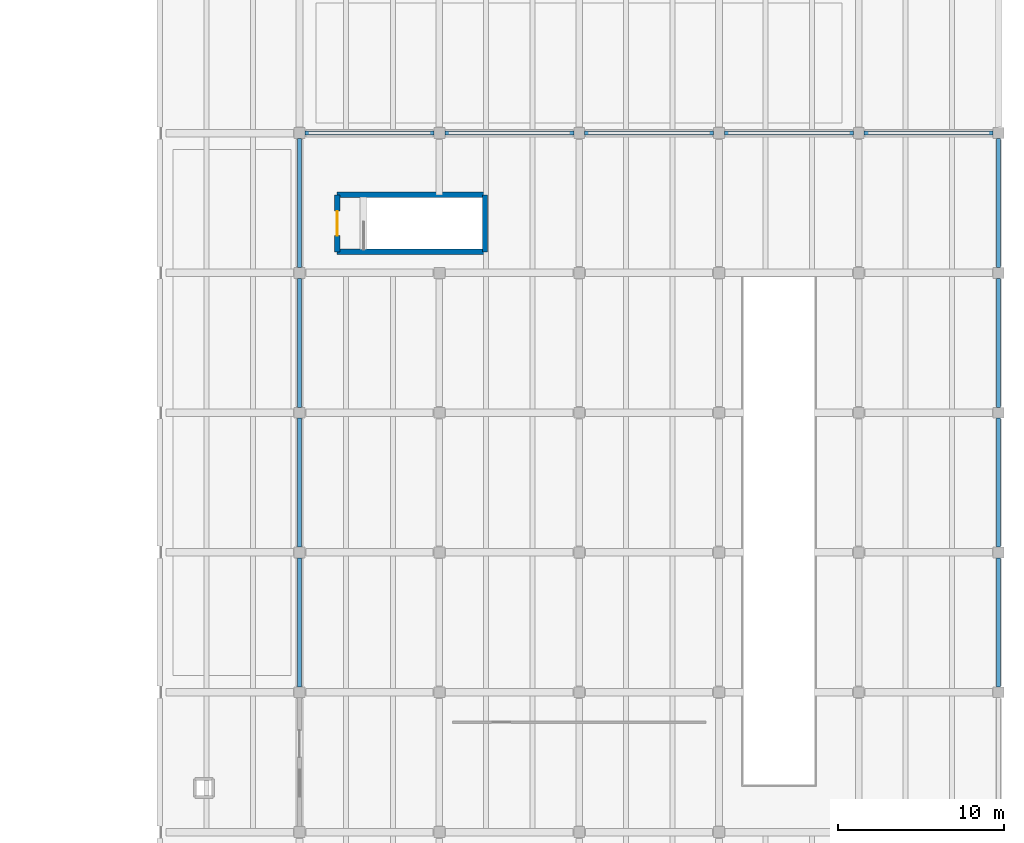
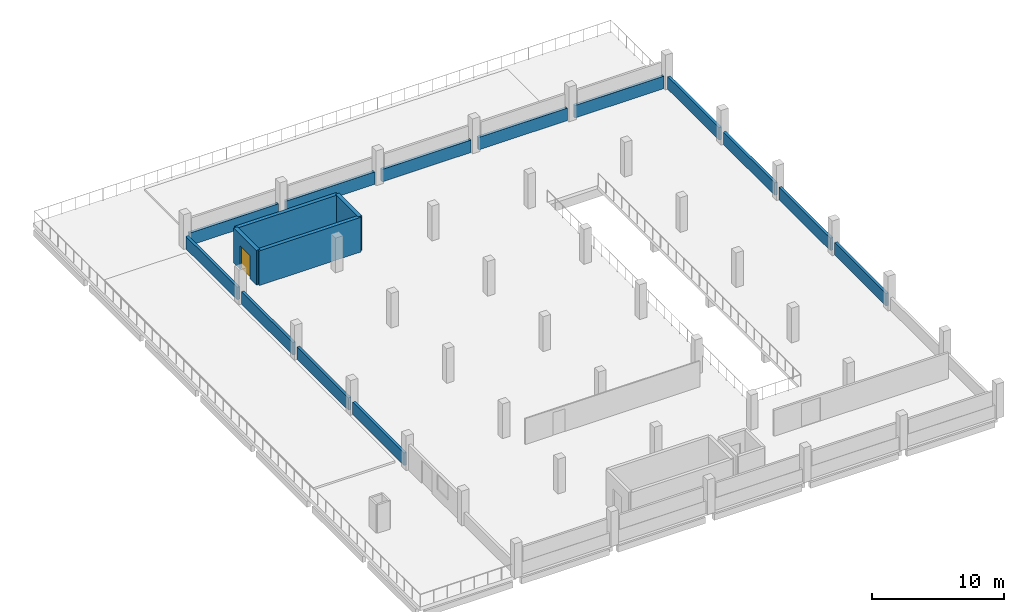
# One storey, part 28 of 33: 17 walls, 1 door, 1 opening.
"""IFC4 building model written with IfcOpenShell, lengths in metres."""

from ifc_helpers import new_model, si_unit, direction, frame, frame_2d, origin, place, context, subcontext, project, spatial, rectangle, extrude, material, layer, layer_set, type_object, element, fill, save


model = new_model("IFC4")

# Units and contexts
model_context = context("Model", 3, precision=1e-05, world=origin(), true_north=direction((0.0, 1.0)))
body_context = subcontext(model_context, "Body", "Model", "MODEL_VIEW")
ifc_project = project(units=[si_unit("LENGTHUNIT", "METRE"), si_unit("AREAUNIT", "SQUARE_METRE"), si_unit("VOLUMEUNIT", "CUBIC_METRE"), si_unit("PLANEANGLEUNIT", "RADIAN"), si_unit("MASSUNIT", "GRAM", prefix="KILO"), si_unit("THERMODYNAMICTEMPERATUREUNIT", "KELVIN"), si_unit("POWERUNIT", "WATT")], contexts=[model_context])

# Site, building, storey
site_placement = place(None, origin())
site = spatial("IfcSite", under=ifc_project, at=site_placement, CompositionType="ELEMENT")
building_placement = place(site_placement, origin())
building = spatial("IfcBuilding", under=site, at=building_placement, Name="Mavoryth Pier Ferry Terminal", CompositionType="ELEMENT")
storey_placement = place(building_placement, frame((0.0, 0.0, 13.1201171875)))
storey = spatial("IfcBuildingStorey", under=building, at=storey_placement, Name="L03", CompositionType="ELEMENT", Elevation=13.1201171875)

# Walls
ifc_material_1 = material(Name="Concrete C40/50", Category="concrete")
ifc_layer_1 = layer(ifc_material_1, 0.320068359375, Name="Concrete C40/50", Category="concrete")
ifc_layer_set_1 = layer_set([ifc_layer_1], Name="Concrete C40/50 - CoreWall-Shear-RC320")
wall_type_1 = type_object("IfcWallType", Name="CoreWall-Shear-RC320", PredefinedType="SHEAR", material=ifc_layer_set_1)
for number, where, z_axis, x_axis, name in (
    (1, (128.260009765625, 56.860107421875, 0.0), (0.0, 0.0, 1.0), (1.0, 0.0, 0.0), "Interior Wall IW-L03-0201"),
    (2, (128.260009765625, 60.2900390625, 0.0), (0.0, 0.0, 1.0), (1.0, 0.0, 0.0), "Interior Wall IW-L03-0202"),
):
    element("IfcWall", number, at=place(storey_placement, frame(where, z_axis=z_axis, x_axis=x_axis)), inside=storey, type_object=wall_type_1, Name=name, PredefinedType="SHEAR", context=body_context, shape_type="SweptSolid", body=[
        extrude(rectangle(XDim=8.8798828125, YDim=0.320068359375, at=frame_2d((4.43994140625, 0.0))), origin(), (0.0, 0.0, 1.0), 3.199951171875),
    ])

# Wall, opening, door
wall_1_placement = place(storey_placement, frame((128.260009765625, 60.2900390625, 0.0), z_axis=(0.0, 0.0, 1.0), x_axis=(0.0, -1.0, 0.0)))
wall_1 = element("IfcWall", 3, at=wall_1_placement, inside=storey, type_object=wall_type_1, Name="Interior Wall IW-L03-0203", PredefinedType="SHEAR", context=body_context, shape_type="SweptSolid", body=[
    extrude(rectangle(XDim=3.429931640625, YDim=0.320068359375, at=frame_2d((1.71484375, 0.0))), origin(), (0.0, 0.0, 1.0), 3.199951171875),
])
opening_placement = place(wall_1_placement, frame((0.97509765625, 0.0, 0.0)))
opening = element("IfcOpeningElement", 4, at=opening_placement, cuts=wall_1, Name="Opening ID01-051", PredefinedType="OPENING", context=body_context, shape_type="SweptSolid", body=[
    extrude(rectangle(XDim=1.47998046875, YDim=2.14990234375, at=frame_2d((0.739990234375, 1.074951171875))), frame((0.0, 0.169921875, 0.0), z_axis=(0.0, -1.0, 0.0), x_axis=(1.0, 0.0, 0.0)), (0.0, 0.0, 1.0), 0.340087890625),
])
ifc_material_2 = material(Name="Painted Galvanised Steel Fire Door", Category="steel")
door_type = type_object("IfcDoorType", Name="Door-StairFire-1480x2150", OperationType="NOTDEFINED", PredefinedType="DOOR", material=ifc_material_2)
door_placement = place(opening_placement, origin())
door = element("IfcDoor", 5, at=door_placement, inside=storey, type_object=door_type, Name="Core C4C Stair Exit Door L03", OperationType="SINGLE_SWING_RIGHT", OverallHeight=2.14990234375, OverallWidth=1.47998046875, PredefinedType="DOOR", context=body_context, shape_type="SweptSolid", body=[
    extrude(rectangle(XDim=1.47998046875, YDim=2.14990234375, at=frame_2d((0.739990234375, 1.074951171875))), frame((0.0, 0.02490234375, 0.0), z_axis=(0.0, -1.0, 0.0), x_axis=(1.0, 0.0, 0.0)), (0.0, 0.0, 1.0), 0.050048828125),
])
fill(opening, door)

# Walls
wall_2_placement = place(storey_placement, frame((137.139892578125, 56.860107421875, 0.0), z_axis=(0.0, 0.0, 1.0), x_axis=(0.0, 1.0, 0.0)))
element("IfcWall", 6, at=wall_2_placement, inside=storey, type_object=wall_type_1, Name="Interior Wall IW-L03-0204", PredefinedType="SHEAR", context=body_context, shape_type="SweptSolid", body=[
    extrude(rectangle(XDim=3.429931640625, YDim=0.320068359375, at=frame_2d((1.71484375, 0.0))), origin(), (0.0, 0.0, 1.0), 3.199951171875),
])
ifc_layer_2 = layer(ifc_material_1, 0.22998046875, Name="Concrete C40/50", Category="concrete")
ifc_layer_set_2 = layer_set([ifc_layer_2], Name="Concrete C40/50 - ExtWall-CrashUpstand-230")
wall_type_2 = type_object("IfcWallType", Name="ExtWall-CrashUpstand-230", PredefinedType="PARAPET", material=ifc_layer_set_2)
for number, where, z_axis, x_axis, name in (
    (7, (126.324951171875, 64.0, 0.0), (0.0, 0.0, 1.0), (1.0, 0.0, 0.0), "Exterior Wall EW-L03-119"),
    (8, (134.72509765625, 64.0, 0.0), (0.0, 0.0, 1.0), (1.0, 0.0, 0.0), "Exterior Wall EW-L03-121"),
    (9, (143.125, 64.0, 0.0), (0.0, 0.0, 1.0), (1.0, 0.0, 0.0), "Exterior Wall EW-L03-123"),
    (10, (151.52490234375, 64.0, 0.0), (0.0, 0.0, 1.0), (1.0, 0.0, 0.0), "Exterior Wall EW-L03-125"),
    (11, (159.925048828125, 64.0, 0.0), (0.0, 0.0, 1.0), (1.0, 0.0, 0.0), "Exterior Wall EW-L03-127"),
    (12, (126.0, 30.72509765625, 0.0), (0.0, 0.0, 1.0), (0.0, 1.0, 0.0), "Exterior Wall EW-L03-131"),
    (13, (168.0, 30.72509765625, 0.0), (0.0, 0.0, 1.0), (0.0, 1.0, 0.0), "Exterior Wall EW-L03-132"),
    (14, (126.0, 39.125, 0.0), (0.0, 0.0, 1.0), (0.0, 1.0, 0.0), "Exterior Wall EW-L03-133"),
    (15, (168.0, 39.125, 0.0), (0.0, 0.0, 1.0), (0.0, 1.0, 0.0), "Exterior Wall EW-L03-134"),
    (16, (126.0, 47.52490234375, 0.0), (0.0, 0.0, 1.0), (0.0, 1.0, 0.0), "Exterior Wall EW-L03-135"),
    (17, (168.0, 47.52490234375, 0.0), (0.0, 0.0, 1.0), (0.0, 1.0, 0.0), "Exterior Wall EW-L03-136"),
    (18, (126.0, 55.925048828125, 0.0), (0.0, 0.0, 1.0), (0.0, 1.0, 0.0), "Exterior Wall EW-L03-137"),
    (19, (168.0, 55.925048828125, 0.0), (0.0, 0.0, 1.0), (0.0, 1.0, 0.0), "Exterior Wall EW-L03-138"),
):
    element("IfcWall", number, at=place(storey_placement, frame(where, z_axis=z_axis, x_axis=x_axis)), inside=storey, type_object=wall_type_2, Name=name, PredefinedType="PARAPET", context=body_context, shape_type="SweptSolid", body=[
        extrude(rectangle(XDim=7.75, YDim=0.22998046875, at=frame_2d((3.875, 0.0))), origin(), (0.0, 0.0, 1.0), 1.14990234375),
    ])

save(model, "model.ifc")
